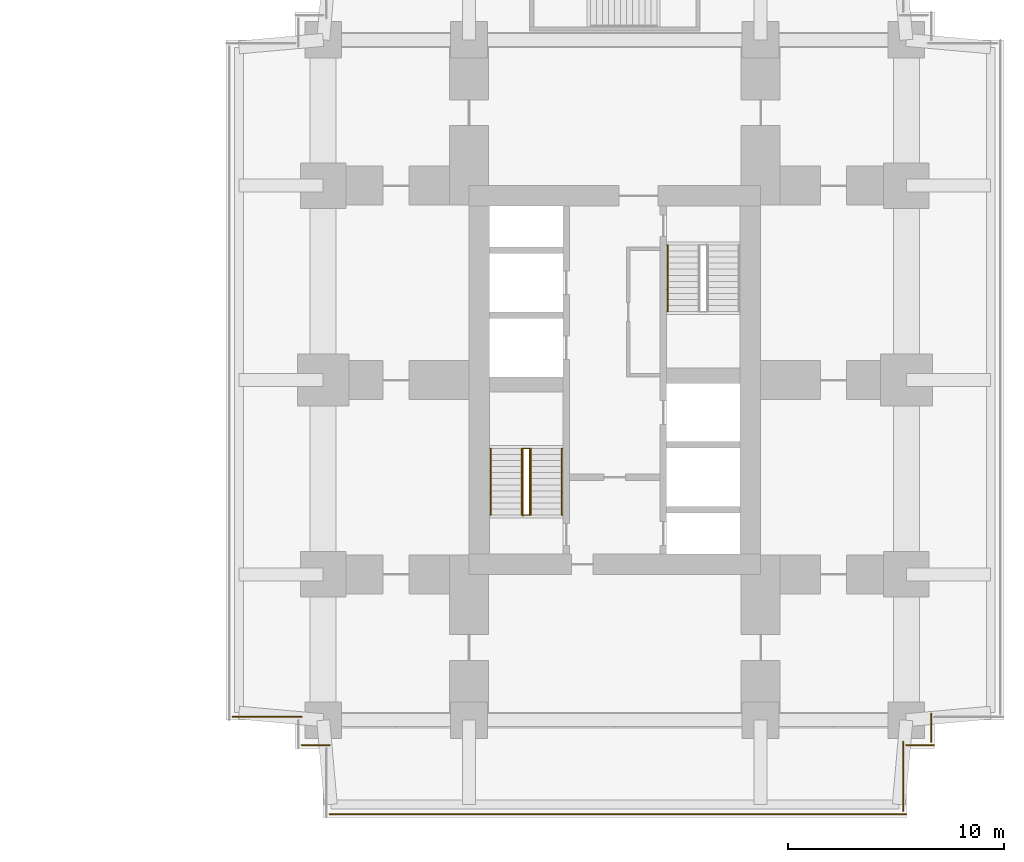
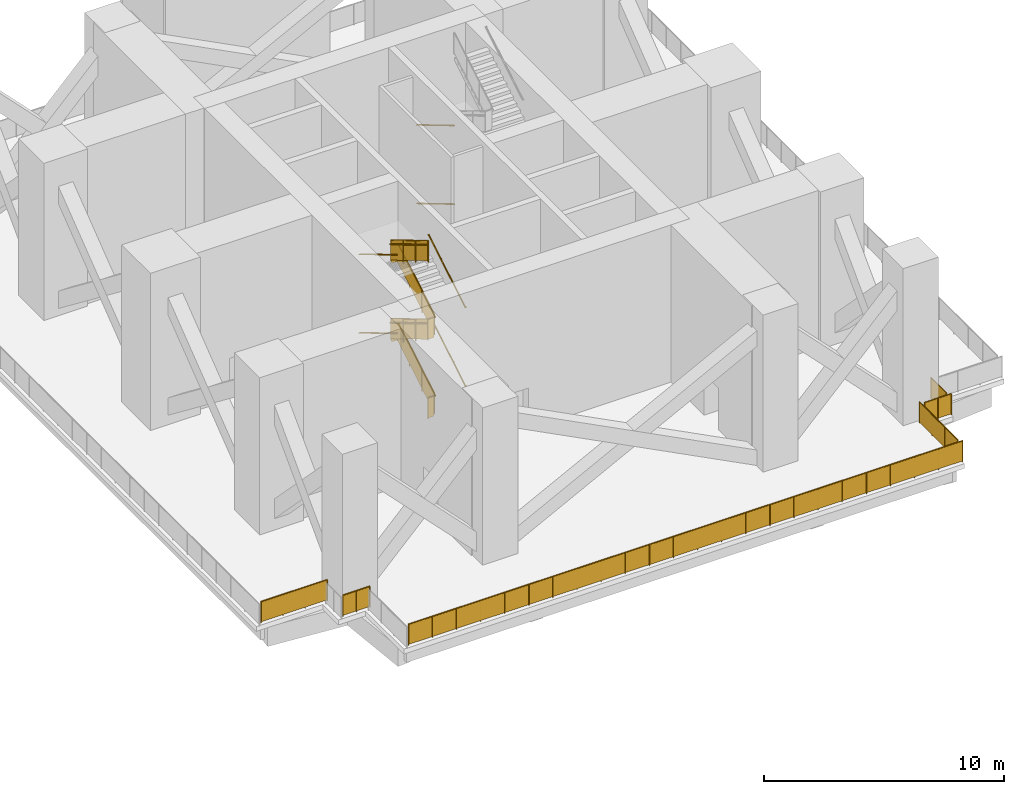
# One storey, part 10 of 12: 17 railings.
"""IFC4 building model written with IfcOpenShell, lengths in metres."""

from ifc_helpers import new_model, si_unit, direction, frame, origin, origin_2d, place, context, subcontext, project, spatial, polyline, circle, outline, extrude, material, type_object, element, save


model = new_model("IFC4")

# Units and contexts
model_context = context("Model", 3, precision=1e-05, world=origin(), true_north=direction((0.0, 1.0)))
body_context = subcontext(model_context, "Body", "Model", "MODEL_VIEW")
ifc_project = project(units=[si_unit("LENGTHUNIT", "METRE"), si_unit("AREAUNIT", "SQUARE_METRE"), si_unit("VOLUMEUNIT", "CUBIC_METRE"), si_unit("PLANEANGLEUNIT", "RADIAN"), si_unit("MASSUNIT", "GRAM", prefix="KILO")], contexts=[model_context])

# Site, building, storey
site_placement = place(None, origin())
site = spatial("IfcSite", under=ifc_project, at=site_placement, CompositionType="ELEMENT")
building_placement = place(site_placement, origin())
building = spatial("IfcBuilding", under=site, at=building_placement, Name="Namib Vertical Campus", CompositionType="ELEMENT")
storey_placement = place(building_placement, frame((0.0, 0.0, 77.0)))
storey = spatial("IfcBuildingStorey", under=building, at=storey_placement, Name="L18", CompositionType="ELEMENT", Elevation=77.0)

# Railings
ifc_material_1 = material(Name="Toughened glass balustrade", Category="glass")
railing_type_1 = type_object("IfcRailingType", Name="Edge guard 1100", PredefinedType="GUARDRAIL", material=ifc_material_1)
railing_1_placement = place(storey_placement, frame((67.800048828125, 0.14990234375, 0.0)))
element("IfcRailing", 1, at=railing_1_placement, inside=storey, type_object=railing_type_1, Name="Refuge edge guard GR2 B L18 1", PredefinedType="GUARDRAIL", context=body_context, shape_type="SweptSolid", body=[
    extrude(circle(Radius=0.02392578125, at=origin_2d()), frame((0.0, 0.0, 1.076171875), z_axis=(1.0, 0.0, 0.0), x_axis=(0.0, 1.0, 0.0)), (0.0, 0.0, 1.0), 26.699951171875),
    extrude(outline(polyline([(0.02099609375, 0.050048828125), (26.678955078125, 0.050048828125), (26.678955078125, 1.052001953125), (0.02099609375, 1.052001953125), (0.02099609375, 0.050048828125)])), frame((0.0, 0.0107421875, 0.0), z_axis=(0.0, -1.0, 0.0), x_axis=(1.0, 0.0, 0.0)), (0.0, 0.0, 1.0), 0.021484375),
    extrude(circle(Radius=0.02099609375, at=origin_2d()), origin(), (0.0, 0.0, 1.0), 1.052001953125),
    extrude(circle(Radius=0.02099609375, at=origin_2d()), frame((1.160888671875, 0.0, 0.0)), (0.0, 0.0, 1.0), 1.052001953125),
    extrude(circle(Radius=0.02099609375, at=origin_2d()), frame((2.32177734375, 0.0, 0.0)), (0.0, 0.0, 1.0), 1.052001953125),
    extrude(circle(Radius=0.02099609375, at=origin_2d()), frame((3.482666015625, 0.0, 0.0)), (0.0, 0.0, 1.0), 1.052001953125),
    extrude(circle(Radius=0.02099609375, at=origin_2d()), frame((4.6435546875, 0.0, 0.0)), (0.0, 0.0, 1.0), 1.052001953125),
    extrude(circle(Radius=0.02099609375, at=origin_2d()), frame((5.804443359375, 0.0, 0.0)), (0.0, 0.0, 1.0), 1.052001953125),
    extrude(circle(Radius=0.02099609375, at=origin_2d()), frame((6.965087890625, 0.0, 0.0)), (0.0, 0.0, 1.0), 1.052001953125),
    extrude(circle(Radius=0.02099609375, at=origin_2d()), frame((8.1259765625, 0.0, 0.0)), (0.0, 0.0, 1.0), 1.052001953125),
    extrude(circle(Radius=0.02099609375, at=origin_2d()), frame((9.286865234375, 0.0, 0.0)), (0.0, 0.0, 1.0), 1.052001953125),
    extrude(circle(Radius=0.02099609375, at=origin_2d()), frame((10.44775390625, 0.0, 0.0)), (0.0, 0.0, 1.0), 1.052001953125),
    extrude(circle(Radius=0.02099609375, at=origin_2d()), frame((11.608642578125, 0.0, 0.0)), (0.0, 0.0, 1.0), 1.052001953125),
    extrude(circle(Radius=0.02099609375, at=origin_2d()), frame((12.76953125, 0.0, 0.0)), (0.0, 0.0, 1.0), 1.052001953125),
    extrude(circle(Radius=0.02099609375, at=origin_2d()), frame((13.930419921875, 0.0, 0.0)), (0.0, 0.0, 1.0), 1.052001953125),
    extrude(circle(Radius=0.02099609375, at=origin_2d()), frame((15.09130859375, 0.0, 0.0)), (0.0, 0.0, 1.0), 1.052001953125),
    extrude(circle(Radius=0.02099609375, at=origin_2d()), frame((16.252197265625, 0.0, 0.0)), (0.0, 0.0, 1.0), 1.052001953125),
    extrude(circle(Radius=0.02099609375, at=origin_2d()), frame((17.4130859375, 0.0, 0.0)), (0.0, 0.0, 1.0), 1.052001953125),
    extrude(circle(Radius=0.02099609375, at=origin_2d()), frame((18.573974609375, 0.0, 0.0)), (0.0, 0.0, 1.0), 1.052001953125),
    extrude(circle(Radius=0.02099609375, at=origin_2d()), frame((19.73486328125, 0.0, 0.0)), (0.0, 0.0, 1.0), 1.052001953125),
    extrude(circle(Radius=0.02099609375, at=origin_2d()), frame((20.8955078125, 0.0, 0.0)), (0.0, 0.0, 1.0), 1.052001953125),
    extrude(circle(Radius=0.02099609375, at=origin_2d()), frame((22.056396484375, 0.0, 0.0)), (0.0, 0.0, 1.0), 1.052001953125),
    extrude(circle(Radius=0.02099609375, at=origin_2d()), frame((23.21728515625, 0.0, 0.0)), (0.0, 0.0, 1.0), 1.052001953125),
    extrude(circle(Radius=0.02099609375, at=origin_2d()), frame((24.378173828125, 0.0, 0.0)), (0.0, 0.0, 1.0), 1.052001953125),
    extrude(circle(Radius=0.02099609375, at=origin_2d()), frame((25.5390625, 0.0, 0.0)), (0.0, 0.0, 1.0), 1.052001953125),
    extrude(circle(Radius=0.02099609375, at=origin_2d()), frame((26.699951171875, 0.0, 0.0)), (0.0, 0.0, 1.0), 1.052001953125),
])
railing_2_placement = place(storey_placement, frame((94.35009765625, 0.300048828125, 0.0)))
element("IfcRailing", 2, at=railing_2_placement, inside=storey, type_object=railing_type_1, Name="Refuge edge guard GR2 B L18 2", PredefinedType="GUARDRAIL", context=body_context, shape_type="SweptSolid", body=[
    extrude(circle(Radius=0.02392578125, at=origin_2d()), frame((0.0, 0.0, 1.076171875), z_axis=(0.0, 1.0, 0.0), x_axis=(-1.0, 0.0, 0.0)), (0.0, 0.0, 1.0), 3.199951171875),
    extrude(outline(polyline([(0.02099609375, 0.050048828125), (3.178955078125, 0.050048828125), (3.178955078125, 1.052001953125), (0.02099609375, 1.052001953125), (0.02099609375, 0.050048828125)])), frame((-0.0107421875, 0.0, 0.0), z_axis=(1.0, 0.0, 0.0), x_axis=(0.0, 1.0, 0.0)), (0.0, 0.0, 1.0), 0.021484375),
    extrude(circle(Radius=0.02099609375, at=origin_2d()), origin(), (0.0, 0.0, 1.0), 1.052001953125),
    extrude(circle(Radius=0.02099609375, at=origin_2d()), frame((0.0, 1.066650390625, 0.0)), (0.0, 0.0, 1.0), 1.052001953125),
    extrude(circle(Radius=0.02099609375, at=origin_2d()), frame((0.0, 2.13330078125, 0.0)), (0.0, 0.0, 1.0), 1.052001953125),
    extrude(circle(Radius=0.02099609375, at=origin_2d()), frame((0.0, 3.199951171875, 0.0)), (0.0, 0.0, 1.0), 1.052001953125),
])
railing_3_placement = place(storey_placement, frame((94.5, 3.35009765625, 0.0)))
element("IfcRailing", 3, at=railing_3_placement, inside=storey, type_object=railing_type_1, Name="Refuge edge guard GR2 B L18 3", PredefinedType="GUARDRAIL", context=body_context, shape_type="SweptSolid", body=[
    extrude(circle(Radius=0.02392578125, at=origin_2d()), frame((0.0, 0.0, 1.076171875), z_axis=(1.0, 0.0, 0.0), x_axis=(0.0, 1.0, 0.0)), (0.0, 0.0, 1.0), 1.300048828125),
    extrude(outline(polyline([(0.02099609375, 0.050048828125), (1.279052734375, 0.050048828125), (1.279052734375, 1.052001953125), (0.02099609375, 1.052001953125), (0.02099609375, 0.050048828125)])), frame((0.0, 0.0107421875, 0.0), z_axis=(0.0, -1.0, 0.0), x_axis=(1.0, 0.0, 0.0)), (0.0, 0.0, 1.0), 0.021484375),
    extrude(circle(Radius=0.02099609375, at=origin_2d()), origin(), (0.0, 0.0, 1.0), 1.052001953125),
    extrude(circle(Radius=0.02099609375, at=origin_2d()), frame((0.64990234375, 0.0, 0.0)), (0.0, 0.0, 1.0), 1.052001953125),
    extrude(circle(Radius=0.02099609375, at=origin_2d()), frame((1.300048828125, 0.0, 0.0)), (0.0, 0.0, 1.0), 1.052001953125),
])
railing_4_placement = place(storey_placement, frame((95.64990234375, 3.5, 0.0)))
element("IfcRailing", 4, at=railing_4_placement, inside=storey, type_object=railing_type_1, Name="Refuge edge guard GR2 B L18 4", PredefinedType="GUARDRAIL", context=body_context, shape_type="SweptSolid", body=[
    extrude(circle(Radius=0.02392578125, at=origin_2d()), frame((0.0, 0.0, 1.076171875), z_axis=(0.0, 1.0, 0.0), x_axis=(-1.0, 0.0, 0.0)), (0.0, 0.0, 1.0), 1.300048828125),
    extrude(outline(polyline([(0.02099609375, 0.050048828125), (1.279052734375, 0.050048828125), (1.279052734375, 1.052001953125), (0.02099609375, 1.052001953125), (0.02099609375, 0.050048828125)])), frame((-0.0107421875, 0.0, 0.0), z_axis=(1.0, 0.0, 0.0), x_axis=(0.0, 1.0, 0.0)), (0.0, 0.0, 1.0), 0.021484375),
    extrude(circle(Radius=0.02099609375, at=origin_2d()), origin(), (0.0, 0.0, 1.0), 1.052001953125),
    extrude(circle(Radius=0.02099609375, at=origin_2d()), frame((0.0, 0.64990234375, 0.0)), (0.0, 0.0, 1.0), 1.052001953125),
    extrude(circle(Radius=0.02099609375, at=origin_2d()), frame((0.0, 1.300048828125, 0.0)), (0.0, 0.0, 1.0), 1.052001953125),
])
railing_5_placement = place(storey_placement, frame((63.300048828125, 4.64990234375, 0.0)))
element("IfcRailing", 5, at=railing_5_placement, inside=storey, type_object=railing_type_1, Name="Refuge edge guard GR2 B L18 17", PredefinedType="GUARDRAIL", context=body_context, shape_type="SweptSolid", body=[
    extrude(circle(Radius=0.02392578125, at=origin_2d()), frame((0.0, 0.0, 1.076171875), z_axis=(1.0, 0.0, 0.0), x_axis=(0.0, 1.0, 0.0)), (0.0, 0.0, 1.0), 3.199951171875),
    extrude(outline(polyline([(0.02099609375, 0.050048828125), (3.178955078125, 0.050048828125), (3.178955078125, 1.052001953125), (0.02099609375, 1.052001953125), (0.02099609375, 0.050048828125)])), frame((0.0, 0.0107421875, 0.0), z_axis=(0.0, -1.0, 0.0), x_axis=(1.0, 0.0, 0.0)), (0.0, 0.0, 1.0), 0.021484375),
    extrude(circle(Radius=0.02099609375, at=origin_2d()), origin(), (0.0, 0.0, 1.0), 1.052001953125),
    extrude(circle(Radius=0.02099609375, at=origin_2d()), frame((1.066650390625, 0.0, 0.0)), (0.0, 0.0, 1.0), 1.052001953125),
    extrude(circle(Radius=0.02099609375, at=origin_2d()), frame((2.13330078125, 0.0, 0.0)), (0.0, 0.0, 1.0), 1.052001953125),
    extrude(circle(Radius=0.02099609375, at=origin_2d()), frame((3.199951171875, 0.0, 0.0)), (0.0, 0.0, 1.0), 1.052001953125),
])
railing_6_placement = place(storey_placement, frame((66.5, 3.35009765625, 0.0)))
element("IfcRailing", 6, at=railing_6_placement, inside=storey, type_object=railing_type_1, Name="Refuge edge guard GR2 B L18 19", PredefinedType="GUARDRAIL", context=body_context, shape_type="SweptSolid", body=[
    extrude(circle(Radius=0.02392578125, at=origin_2d()), frame((0.0, 0.0, 1.076171875), z_axis=(1.0, 0.0, 0.0), x_axis=(0.0, 1.0, 0.0)), (0.0, 0.0, 1.0), 1.300048828125),
    extrude(outline(polyline([(0.02099609375, 0.050048828125), (1.279052734375, 0.050048828125), (1.279052734375, 1.052001953125), (0.02099609375, 1.052001953125), (0.02099609375, 0.050048828125)])), frame((0.0, 0.0107421875, 0.0), z_axis=(0.0, -1.0, 0.0), x_axis=(1.0, 0.0, 0.0)), (0.0, 0.0, 1.0), 0.021484375),
    extrude(circle(Radius=0.02099609375, at=origin_2d()), origin(), (0.0, 0.0, 1.0), 1.052001953125),
    extrude(circle(Radius=0.02099609375, at=origin_2d()), frame((0.64990234375, 0.0, 0.0)), (0.0, 0.0, 1.0), 1.052001953125),
    extrude(circle(Radius=0.02099609375, at=origin_2d()), frame((1.300048828125, 0.0, 0.0)), (0.0, 0.0, 1.0), 1.052001953125),
])
ifc_material_2 = material(Name="Steel handrail", Category="steel")
railing_type_2 = type_object("IfcRailingType", Name="Handrail 900", PredefinedType="HANDRAIL", material=ifc_material_2)
railing_7_placement = place(storey_placement, frame((78.550048828125, 14.0, 0.166748046875)))
element("IfcRailing", 7, at=railing_7_placement, inside=storey, type_object=railing_type_2, Name="Handrail HR1 B-S1 L18 1", PredefinedType="HANDRAIL", context=body_context, shape_type="SweptSolid", body=[
    extrude(circle(Radius=0.02392578125, at=origin_2d()), frame((0.0, 0.0, 0.8759765625), z_axis=(0.0, 0.859308565015, 0.511457515432), x_axis=(-1.0, 0.0, 0.0)), (0.0, 0.0, 1.0), 3.58447265625),
    extrude(circle(Radius=0.008056640625, at=origin_2d()), frame((0.0, 0.0, 0.8759765625), z_axis=(1.0, 0.0, 0.0), x_axis=(0.0, 0.0, 1.0)), (0.0, 0.0, 1.0), 0.050048828125),
    extrude(circle(Radius=0.008056640625, at=origin_2d()), frame((0.0, 1.026611328125, 1.48681640625), z_axis=(1.0, 0.0, 0.0), x_axis=(0.0, 0.0, 1.0)), (0.0, 0.0, 1.0), 0.050048828125),
    extrude(circle(Radius=0.008056640625, at=origin_2d()), frame((0.0, 2.053466796875, 2.09814453125), z_axis=(1.0, 0.0, 0.0), x_axis=(0.0, 0.0, 1.0)), (0.0, 0.0, 1.0), 0.050048828125),
    extrude(circle(Radius=0.008056640625, at=origin_2d()), frame((0.0, 3.080078125, 2.708984375), z_axis=(1.0, 0.0, 0.0), x_axis=(0.0, 0.0, 1.0)), (0.0, 0.0, 1.0), 0.050048828125),
])
railing_8_placement = place(storey_placement, frame((75.25, 17.080078125, 2.166748046875)))
element("IfcRailing", 8, at=railing_8_placement, inside=storey, type_object=railing_type_2, Name="Handrail HR1 B-S1 L18 2", PredefinedType="HANDRAIL", context=body_context, shape_type="SweptSolid", body=[
    extrude(circle(Radius=0.02392578125, at=origin_2d()), frame((0.0, 0.0, 0.8759765625), z_axis=(0.0, -0.859308565015, 0.511457515432), x_axis=(1.0, 0.0, 0.0)), (0.0, 0.0, 1.0), 3.58447265625),
    extrude(circle(Radius=0.008056640625, at=origin_2d()), frame((0.0, 0.0, 0.8759765625), z_axis=(-1.0, 0.0, 0.0), x_axis=(0.0, 0.0, 1.0)), (0.0, 0.0, 1.0), 0.050048828125),
    extrude(circle(Radius=0.008056640625, at=origin_2d()), frame((0.0, -1.026611328125, 1.48681640625), z_axis=(-1.0, 0.0, 0.0), x_axis=(0.0, 0.0, 1.0)), (0.0, 0.0, 1.0), 0.050048828125),
    extrude(circle(Radius=0.008056640625, at=origin_2d()), frame((0.0, -2.053466796875, 2.09814453125), z_axis=(-1.0, 0.0, 0.0), x_axis=(0.0, 0.0, 1.0)), (0.0, 0.0, 1.0), 0.050048828125),
    extrude(circle(Radius=0.008056640625, at=origin_2d()), frame((0.0, -3.080078125, 2.708984375), z_axis=(-1.0, 0.0, 0.0), x_axis=(0.0, 0.0, 1.0)), (0.0, 0.0, 1.0), 0.050048828125),
])
railing_9_placement = place(storey_placement, frame((78.550048828125, 14.0, 4.166748046875)))
element("IfcRailing", 9, at=railing_9_placement, inside=storey, type_object=railing_type_2, Name="Handrail HR1 B-S1 L18 3", PredefinedType="HANDRAIL", context=body_context, shape_type="SweptSolid", body=[
    extrude(circle(Radius=0.02392578125, at=origin_2d()), frame((0.0, 0.0, 0.8759765625), z_axis=(0.0, 0.859308565015, 0.511457515432), x_axis=(-1.0, 0.0, 0.0)), (0.0, 0.0, 1.0), 3.58447265625),
    extrude(circle(Radius=0.008056640625, at=origin_2d()), frame((0.0, 0.0, 0.8759765625), z_axis=(1.0, 0.0, 0.0), x_axis=(0.0, 0.0, 1.0)), (0.0, 0.0, 1.0), 0.050048828125),
    extrude(circle(Radius=0.008056640625, at=origin_2d()), frame((0.0, 1.026611328125, 1.48681640625), z_axis=(1.0, 0.0, 0.0), x_axis=(0.0, 0.0, 1.0)), (0.0, 0.0, 1.0), 0.050048828125),
    extrude(circle(Radius=0.008056640625, at=origin_2d()), frame((0.0, 2.053466796875, 2.09814453125), z_axis=(1.0, 0.0, 0.0), x_axis=(0.0, 0.0, 1.0)), (0.0, 0.0, 1.0), 0.050048828125),
    extrude(circle(Radius=0.008056640625, at=origin_2d()), frame((0.0, 3.080078125, 2.708984375), z_axis=(1.0, 0.0, 0.0), x_axis=(0.0, 0.0, 1.0)), (0.0, 0.0, 1.0), 0.050048828125),
])
railing_10_placement = place(storey_placement, frame((75.25, 17.080078125, 6.166748046875)))
element("IfcRailing", 10, at=railing_10_placement, inside=storey, type_object=railing_type_2, Name="Handrail HR1 B-S1 L18 4", PredefinedType="HANDRAIL", context=body_context, shape_type="SweptSolid", body=[
    extrude(circle(Radius=0.02392578125, at=origin_2d()), frame((0.0, 0.0, 0.8759765625), z_axis=(0.0, -0.859308565015, 0.511457515432), x_axis=(1.0, 0.0, 0.0)), (0.0, 0.0, 1.0), 3.58447265625),
    extrude(circle(Radius=0.008056640625, at=origin_2d()), frame((0.0, 0.0, 0.8759765625), z_axis=(-1.0, 0.0, 0.0), x_axis=(0.0, 0.0, 1.0)), (0.0, 0.0, 1.0), 0.050048828125),
    extrude(circle(Radius=0.008056640625, at=origin_2d()), frame((0.0, -1.026611328125, 1.48681640625), z_axis=(-1.0, 0.0, 0.0), x_axis=(0.0, 0.0, 1.0)), (0.0, 0.0, 1.0), 0.050048828125),
    extrude(circle(Radius=0.008056640625, at=origin_2d()), frame((0.0, -2.053466796875, 2.09814453125), z_axis=(-1.0, 0.0, 0.0), x_axis=(0.0, 0.0, 1.0)), (0.0, 0.0, 1.0), 0.050048828125),
    extrude(circle(Radius=0.008056640625, at=origin_2d()), frame((0.0, -3.080078125, 2.708984375), z_axis=(-1.0, 0.0, 0.0), x_axis=(0.0, 0.0, 1.0)), (0.0, 0.0, 1.0), 0.050048828125),
])
railing_11_placement = place(storey_placement, frame((77.10009765625, 14.0, 0.166748046875)))
element("IfcRailing", 11, at=railing_11_placement, inside=storey, type_object=railing_type_2, Name="Handrail HR1 B-S1 L18 1 at the well", PredefinedType="HANDRAIL", context=body_context, shape_type="SweptSolid", body=[
    extrude(circle(Radius=0.02392578125, at=origin_2d()), frame((0.0, 0.0, 0.8759765625), z_axis=(0.0, 0.859308565015, 0.511457515432), x_axis=(-1.0, 0.0, 0.0)), (0.0, 0.0, 1.0), 3.58447265625),
    extrude(circle(Radius=0.008056640625, at=origin_2d()), frame((0.0, 0.0, 0.8759765625), z_axis=(-1.0, 0.0, 0.0), x_axis=(0.0, 0.0, 1.0)), (0.0, 0.0, 1.0), 0.0400390625),
    extrude(circle(Radius=0.008056640625, at=origin_2d()), frame((0.0, 1.026611328125, 1.48681640625), z_axis=(-1.0, 0.0, 0.0), x_axis=(0.0, 0.0, 1.0)), (0.0, 0.0, 1.0), 0.0400390625),
    extrude(circle(Radius=0.008056640625, at=origin_2d()), frame((0.0, 2.053466796875, 2.09814453125), z_axis=(-1.0, 0.0, 0.0), x_axis=(0.0, 0.0, 1.0)), (0.0, 0.0, 1.0), 0.0400390625),
    extrude(circle(Radius=0.008056640625, at=origin_2d()), frame((0.0, 3.080078125, 2.708984375), z_axis=(-1.0, 0.0, 0.0), x_axis=(0.0, 0.0, 1.0)), (0.0, 0.0, 1.0), 0.0400390625),
])
railing_12_placement = place(storey_placement, frame((76.699951171875, 17.080078125, 2.166748046875)))
element("IfcRailing", 12, at=railing_12_placement, inside=storey, type_object=railing_type_2, Name="Handrail HR1 B-S1 L18 2 at the well", PredefinedType="HANDRAIL", context=body_context, shape_type="SweptSolid", body=[
    extrude(circle(Radius=0.02392578125, at=origin_2d()), frame((0.0, 0.0, 0.8759765625), z_axis=(0.0, -0.859308565015, 0.511457515432), x_axis=(1.0, 0.0, 0.0)), (0.0, 0.0, 1.0), 3.58447265625),
    extrude(circle(Radius=0.008056640625, at=origin_2d()), frame((0.0, 0.0, 0.8759765625), z_axis=(1.0, 0.0, 0.0), x_axis=(0.0, 0.0, 1.0)), (0.0, 0.0, 1.0), 0.0400390625),
    extrude(circle(Radius=0.008056640625, at=origin_2d()), frame((0.0, -1.026611328125, 1.48681640625), z_axis=(1.0, 0.0, 0.0), x_axis=(0.0, 0.0, 1.0)), (0.0, 0.0, 1.0), 0.0400390625),
    extrude(circle(Radius=0.008056640625, at=origin_2d()), frame((0.0, -2.053466796875, 2.09814453125), z_axis=(1.0, 0.0, 0.0), x_axis=(0.0, 0.0, 1.0)), (0.0, 0.0, 1.0), 0.0400390625),
    extrude(circle(Radius=0.008056640625, at=origin_2d()), frame((0.0, -3.080078125, 2.708984375), z_axis=(1.0, 0.0, 0.0), x_axis=(0.0, 0.0, 1.0)), (0.0, 0.0, 1.0), 0.0400390625),
])
railing_13_placement = place(storey_placement, frame((77.10009765625, 14.0, 4.166748046875)))
element("IfcRailing", 13, at=railing_13_placement, inside=storey, type_object=railing_type_2, Name="Handrail HR1 B-S1 L18 3 at the well", PredefinedType="HANDRAIL", context=body_context, shape_type="SweptSolid", body=[
    extrude(circle(Radius=0.02392578125, at=origin_2d()), frame((0.0, 0.0, 0.8759765625), z_axis=(0.0, 0.859308565015, 0.511457515432), x_axis=(-1.0, 0.0, 0.0)), (0.0, 0.0, 1.0), 3.58447265625),
    extrude(circle(Radius=0.008056640625, at=origin_2d()), frame((0.0, 0.0, 0.8759765625), z_axis=(-1.0, 0.0, 0.0), x_axis=(0.0, 0.0, 1.0)), (0.0, 0.0, 1.0), 0.0400390625),
    extrude(circle(Radius=0.008056640625, at=origin_2d()), frame((0.0, 1.026611328125, 1.48681640625), z_axis=(-1.0, 0.0, 0.0), x_axis=(0.0, 0.0, 1.0)), (0.0, 0.0, 1.0), 0.0400390625),
    extrude(circle(Radius=0.008056640625, at=origin_2d()), frame((0.0, 2.053466796875, 2.09814453125), z_axis=(-1.0, 0.0, 0.0), x_axis=(0.0, 0.0, 1.0)), (0.0, 0.0, 1.0), 0.0400390625),
    extrude(circle(Radius=0.008056640625, at=origin_2d()), frame((0.0, 3.080078125, 2.708984375), z_axis=(-1.0, 0.0, 0.0), x_axis=(0.0, 0.0, 1.0)), (0.0, 0.0, 1.0), 0.0400390625),
])
railing_14_placement = place(storey_placement, frame((76.699951171875, 17.080078125, 6.166748046875)))
element("IfcRailing", 14, at=railing_14_placement, inside=storey, type_object=railing_type_2, Name="Handrail HR1 B-S1 L18 4 at the well", PredefinedType="HANDRAIL", context=body_context, shape_type="SweptSolid", body=[
    extrude(circle(Radius=0.02392578125, at=origin_2d()), frame((0.0, 0.0, 0.8759765625), z_axis=(0.0, -0.859308565015, 0.511457515432), x_axis=(1.0, 0.0, 0.0)), (0.0, 0.0, 1.0), 3.58447265625),
    extrude(circle(Radius=0.008056640625, at=origin_2d()), frame((0.0, 0.0, 0.8759765625), z_axis=(1.0, 0.0, 0.0), x_axis=(0.0, 0.0, 1.0)), (0.0, 0.0, 1.0), 0.0400390625),
    extrude(circle(Radius=0.008056640625, at=origin_2d()), frame((0.0, -1.026611328125, 1.48681640625), z_axis=(1.0, 0.0, 0.0), x_axis=(0.0, 0.0, 1.0)), (0.0, 0.0, 1.0), 0.0400390625),
    extrude(circle(Radius=0.008056640625, at=origin_2d()), frame((0.0, -2.053466796875, 2.09814453125), z_axis=(1.0, 0.0, 0.0), x_axis=(0.0, 0.0, 1.0)), (0.0, 0.0, 1.0), 0.0400390625),
    extrude(circle(Radius=0.008056640625, at=origin_2d()), frame((0.0, -3.080078125, 2.708984375), z_axis=(1.0, 0.0, 0.0), x_axis=(0.0, 0.0, 1.0)), (0.0, 0.0, 1.0), 0.0400390625),
])
for number, where, name in (
    (15, (83.449951171875, 26.5, 0.166748046875), "Handrail HR1 B-S2 L18 1"),
    (16, (83.449951171875, 26.5, 4.166748046875), "Handrail HR1 B-S2 L18 3"),
):
    element("IfcRailing", number, at=place(storey_placement, frame(where)), inside=storey, type_object=railing_type_2, Name=name, PredefinedType="HANDRAIL", context=body_context, shape_type="SweptSolid", body=[
        extrude(circle(Radius=0.02392578125, at=origin_2d()), frame((0.0, 0.0, 0.8759765625), z_axis=(0.0, -0.859308565015, 0.511457515432), x_axis=(1.0, 0.0, 0.0)), (0.0, 0.0, 1.0), 3.58447265625),
        extrude(circle(Radius=0.008056640625, at=origin_2d()), frame((0.0, 0.0, 0.8759765625), z_axis=(-1.0, 0.0, 0.0), x_axis=(0.0, 0.0, 1.0)), (0.0, 0.0, 1.0), 0.050048828125),
        extrude(circle(Radius=0.008056640625, at=origin_2d()), frame((0.0, -1.026611328125, 1.48681640625), z_axis=(-1.0, 0.0, 0.0), x_axis=(0.0, 0.0, 1.0)), (0.0, 0.0, 1.0), 0.050048828125),
        extrude(circle(Radius=0.008056640625, at=origin_2d()), frame((0.0, -2.053466796875, 2.09814453125), z_axis=(-1.0, 0.0, 0.0), x_axis=(0.0, 0.0, 1.0)), (0.0, 0.0, 1.0), 0.050048828125),
        extrude(circle(Radius=0.008056640625, at=origin_2d()), frame((0.0, -3.080078125, 2.708984375), z_axis=(-1.0, 0.0, 0.0), x_axis=(0.0, 0.0, 1.0)), (0.0, 0.0, 1.0), 0.050048828125),
    ])
ifc_material_3 = material(Name="Steel balustrade", Category="steel")
railing_type_3 = type_object("IfcRailingType", Name="Stair guard 1100", PredefinedType="GUARDRAIL", material=ifc_material_3)
railing_15_placement = place(storey_placement, frame((76.75, 14.0, 0.0)))
element("IfcRailing", 17, at=railing_15_placement, inside=storey, type_object=railing_type_3, Name="Stair guard GR1 B-S1 L18", PredefinedType="GUARDRAIL", context=body_context, shape_type="SweptSolid", body=[
    extrude(circle(Radius=0.02392578125, at=origin_2d()), frame((0.0, 0.0, 1.076171875), z_axis=(1.0, 0.0, 0.0), x_axis=(0.0, 1.0, 0.0)), (0.0, 0.0, 1.0), 0.300048828125),
    extrude(outline(polyline([(0.02099609375, 0.050048828125), (0.279052734375, 0.050048828125), (0.279052734375, 1.052001953125), (0.02099609375, 1.052001953125), (0.02099609375, 0.050048828125)])), frame((0.0, 0.010009765625, 0.0), z_axis=(0.0, -1.0, 0.0), x_axis=(1.0, 0.0, 0.0)), (0.0, 0.0, 1.0), 0.02001953125),
    extrude(circle(Radius=0.02392578125, at=origin_2d()), frame((0.300048828125, 0.0, 1.076171875), z_axis=(0.0, 0.0, 1.0), x_axis=(1.0, 0.0, 0.0)), (0.0, 0.0, 1.0), 0.166748046875),
    extrude(circle(Radius=0.02392578125, at=origin_2d()), frame((0.300048828125, 0.0, 1.24267578125), z_axis=(0.0, 0.859308565015, 0.511457515432), x_axis=(-1.0, 0.0, 0.0)), (0.0, 0.0, 1.0), 3.58447265625),
    extrude(outline(polyline([(0.02099609375, 0.0625), (3.05908203125, 1.870849609375), (3.05908203125, 2.872802734375), (0.02099609375, 1.064453125), (0.02099609375, 0.0625)])), frame((0.2900390625, 0.0, 0.166748046875), z_axis=(1.0, 0.0, 0.0), x_axis=(0.0, 1.0, 0.0)), (0.0, 0.0, 1.0), 0.02001953125),
    extrude(circle(Radius=0.02392578125, at=origin_2d()), frame((0.300048828125, 3.080078125, 3.076171875), z_axis=(-1.0, 0.0, 0.0), x_axis=(0.0, -1.0, 0.0)), (0.0, 0.0, 1.0), 0.300048828125),
    extrude(outline(polyline([(0.02099609375, 0.050048828125), (0.279052734375, 0.050048828125), (0.279052734375, 1.052001953125), (0.02099609375, 1.052001953125), (0.02099609375, 0.050048828125)])), frame((0.300048828125, 3.070068359375, 2.0), z_axis=(0.0, 1.0, 0.0), x_axis=(-1.0, 0.0, 0.0)), (0.0, 0.0, 1.0), 0.02001953125),
    extrude(circle(Radius=0.02392578125, at=origin_2d()), frame((0.0, 3.080078125, 3.076171875), z_axis=(0.0, 0.0, 1.0), x_axis=(1.0, 0.0, 0.0)), (0.0, 0.0, 1.0), 0.166748046875),
    extrude(circle(Radius=0.02392578125, at=origin_2d()), frame((0.0, 3.080078125, 3.24267578125), z_axis=(0.0, -0.859308565015, 0.511457515432), x_axis=(1.0, 0.0, 0.0)), (0.0, 0.0, 1.0), 3.58447265625),
    extrude(outline(polyline([(0.02099609375, 0.0625), (3.05908203125, 1.870849609375), (3.05908203125, 2.872802734375), (0.02099609375, 1.064453125), (0.02099609375, 0.0625)])), frame((0.010009765625, 3.080078125, 2.166748046875), z_axis=(-1.0, 0.0, 0.0), x_axis=(0.0, -1.0, 0.0)), (0.0, 0.0, 1.0), 0.02001953125),
    extrude(circle(Radius=0.02392578125, at=origin_2d()), frame((0.0, 0.0, 5.076171875), z_axis=(1.0, 0.0, 0.0), x_axis=(0.0, 1.0, 0.0)), (0.0, 0.0, 1.0), 0.300048828125),
    extrude(outline(polyline([(0.02099609375, 0.050048828125), (0.279052734375, 0.050048828125), (0.279052734375, 1.052001953125), (0.02099609375, 1.052001953125), (0.02099609375, 0.050048828125)])), frame((0.0, 0.010009765625, 4.0), z_axis=(0.0, -1.0, 0.0), x_axis=(1.0, 0.0, 0.0)), (0.0, 0.0, 1.0), 0.02001953125),
    extrude(circle(Radius=0.02392578125, at=origin_2d()), frame((0.300048828125, 0.0, 5.076171875), z_axis=(0.0, 0.0, 1.0), x_axis=(1.0, 0.0, 0.0)), (0.0, 0.0, 1.0), 0.166748046875),
    extrude(circle(Radius=0.02392578125, at=origin_2d()), frame((0.300048828125, 0.0, 5.24267578125), z_axis=(0.0, 0.859308565015, 0.511457515432), x_axis=(-1.0, 0.0, 0.0)), (0.0, 0.0, 1.0), 3.58447265625),
    extrude(outline(polyline([(0.02099609375, 0.0625), (3.05908203125, 1.870849609375), (3.05908203125, 2.872802734375), (0.02099609375, 1.064453125), (0.02099609375, 0.0625)])), frame((0.2900390625, 0.0, 4.166748046875), z_axis=(1.0, 0.0, 0.0), x_axis=(0.0, 1.0, 0.0)), (0.0, 0.0, 1.0), 0.02001953125),
    extrude(circle(Radius=0.02392578125, at=origin_2d()), frame((0.300048828125, 3.080078125, 7.076171875), z_axis=(-1.0, 0.0, 0.0), x_axis=(0.0, -1.0, 0.0)), (0.0, 0.0, 1.0), 0.300048828125),
    extrude(outline(polyline([(0.02099609375, 0.050048828125), (0.279052734375, 0.050048828125), (0.279052734375, 1.052001953125), (0.02099609375, 1.052001953125), (0.02099609375, 0.050048828125)])), frame((0.300048828125, 3.070068359375, 6.0), z_axis=(0.0, 1.0, 0.0), x_axis=(-1.0, 0.0, 0.0)), (0.0, 0.0, 1.0), 0.02001953125),
    extrude(circle(Radius=0.02392578125, at=origin_2d()), frame((0.0, 3.080078125, 7.076171875), z_axis=(0.0, 0.0, 1.0), x_axis=(1.0, 0.0, 0.0)), (0.0, 0.0, 1.0), 0.166748046875),
    extrude(circle(Radius=0.02392578125, at=origin_2d()), frame((0.0, 3.080078125, 7.24267578125), z_axis=(0.0, -0.859308565015, 0.511457515432), x_axis=(1.0, 0.0, 0.0)), (0.0, 0.0, 1.0), 3.58447265625),
    extrude(outline(polyline([(0.02099609375, 0.0625), (3.05908203125, 1.870849609375), (3.05908203125, 2.872802734375), (0.02099609375, 1.064453125), (0.02099609375, 0.0625)])), frame((0.010009765625, 3.080078125, 6.166748046875), z_axis=(-1.0, 0.0, 0.0), x_axis=(0.0, -1.0, 0.0)), (0.0, 0.0, 1.0), 0.02001953125),
    extrude(circle(Radius=0.02392578125, at=origin_2d()), frame((0.0, 0.0, 9.076171875), z_axis=(0.0, -1.0, 0.0), x_axis=(1.0, 0.0, 0.0)), (0.0, 0.0, 1.0), 0.050048828125),
    extrude(outline(polyline([(0.02099609375, 0.050048828125), (0.029052734375, 0.050048828125), (0.029052734375, 1.052001953125), (0.02099609375, 1.052001953125), (0.02099609375, 0.050048828125)])), frame((0.010009765625, 0.0, 8.0), z_axis=(-1.0, 0.0, 0.0), x_axis=(0.0, -1.0, 0.0)), (0.0, 0.0, 1.0), 0.02001953125),
    extrude(circle(Radius=0.02099609375, at=origin_2d()), origin(), (0.0, 0.0, 1.0), 1.052001953125),
    extrude(circle(Radius=0.02099609375, at=origin_2d()), frame((0.300048828125, 0.0, 0.166748046875)), (0.0, 0.0, 1.0), 1.052001953125),
    extrude(circle(Radius=0.02099609375, at=origin_2d()), frame((0.300048828125, 1.026611328125, 0.666748046875)), (0.0, 0.0, 1.0), 1.1630859375),
    extrude(circle(Radius=0.02099609375, at=origin_2d()), frame((0.300048828125, 2.053466796875, 1.33349609375)), (0.0, 0.0, 1.0), 1.107421875),
    extrude(circle(Radius=0.02099609375, at=origin_2d()), frame((0.300048828125, 3.080078125, 2.0)), (0.0, 0.0, 1.0), 1.052001953125),
    extrude(circle(Radius=0.02099609375, at=origin_2d()), frame((0.0, 3.080078125, 2.166748046875)), (0.0, 0.0, 1.0), 1.052001953125),
    extrude(circle(Radius=0.02099609375, at=origin_2d()), frame((0.0, 2.053466796875, 2.666748046875)), (0.0, 0.0, 1.0), 1.1630859375),
    extrude(circle(Radius=0.02099609375, at=origin_2d()), frame((0.0, 1.026611328125, 3.33349609375)), (0.0, 0.0, 1.0), 1.107421875),
    extrude(circle(Radius=0.02099609375, at=origin_2d()), frame((0.0, 0.0, 4.0)), (0.0, 0.0, 1.0), 1.052001953125),
    extrude(circle(Radius=0.02099609375, at=origin_2d()), frame((0.300048828125, 0.0, 4.166748046875)), (0.0, 0.0, 1.0), 1.052001953125),
    extrude(circle(Radius=0.02099609375, at=origin_2d()), frame((0.300048828125, 1.026611328125, 4.666748046875)), (0.0, 0.0, 1.0), 1.1630859375),
    extrude(circle(Radius=0.02099609375, at=origin_2d()), frame((0.300048828125, 2.053466796875, 5.33349609375)), (0.0, 0.0, 1.0), 1.107421875),
    extrude(circle(Radius=0.02099609375, at=origin_2d()), frame((0.300048828125, 3.080078125, 6.0)), (0.0, 0.0, 1.0), 1.052001953125),
    extrude(circle(Radius=0.02099609375, at=origin_2d()), frame((0.0, 3.080078125, 6.166748046875)), (0.0, 0.0, 1.0), 1.052001953125),
    extrude(circle(Radius=0.02099609375, at=origin_2d()), frame((0.0, 2.053466796875, 6.666748046875)), (0.0, 0.0, 1.0), 1.1630859375),
    extrude(circle(Radius=0.02099609375, at=origin_2d()), frame((0.0, 1.026611328125, 7.33349609375)), (0.0, 0.0, 1.0), 1.107421875),
    extrude(circle(Radius=0.02099609375, at=origin_2d()), frame((0.0, 0.0, 8.0)), (0.0, 0.0, 1.0), 1.052001953125),
    extrude(circle(Radius=0.02099609375, at=origin_2d()), frame((0.0, -0.050048828125, 8.0)), (0.0, 0.0, 1.0), 1.052001953125),
])

save(model, "model.ifc")
